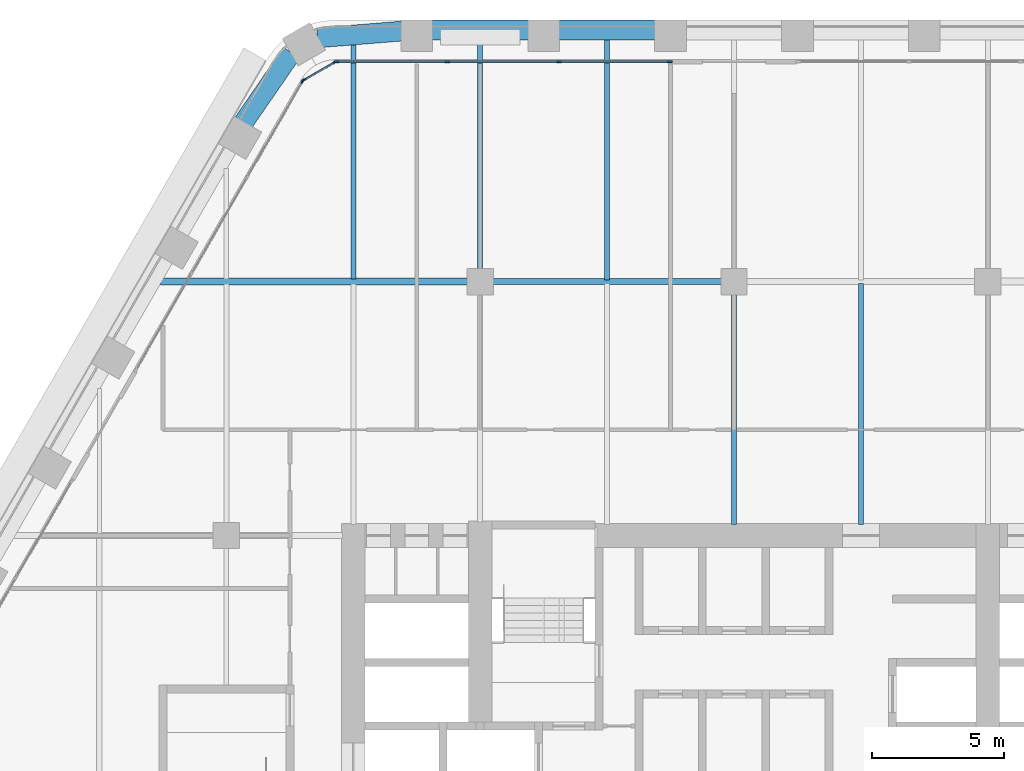
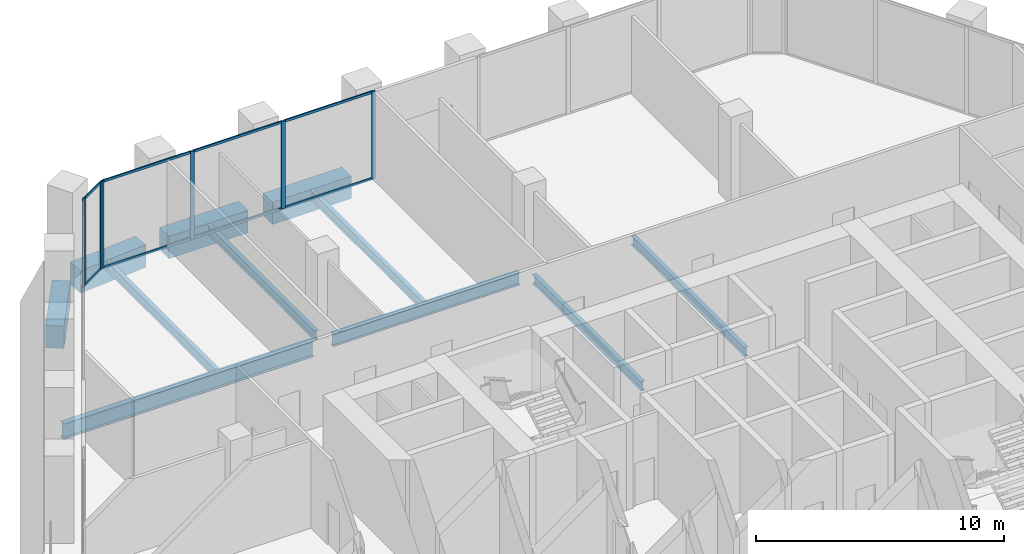
# One storey, part 7 of 22: 15 members, 11 beams, 3 elements without a shape of their own.
"""IFC4 building model written with IfcOpenShell, lengths in metres."""

from ifc_helpers import new_model, si_unit, direction, frame, origin, origin_2d, place, context, subcontext, project, spatial, rectangle, i_section, extrude, material, material_profile, profile_set, type_object, element, aggregate, save


model = new_model("IFC4")

# Units and contexts
model_context = context("Model", 3, precision=1e-05, world=origin(), true_north=direction((0.0, 1.0)))
body_context = subcontext(model_context, "Body", "Model", "MODEL_VIEW")
ifc_project = project(units=[si_unit("LENGTHUNIT", "METRE"), si_unit("AREAUNIT", "SQUARE_METRE"), si_unit("VOLUMEUNIT", "CUBIC_METRE"), si_unit("PLANEANGLEUNIT", "RADIAN"), si_unit("MASSUNIT", "GRAM", prefix="KILO")], contexts=[model_context])

# Site, building, storey
site_placement = place(None, origin())
site = spatial("IfcSite", under=ifc_project, at=site_placement, CompositionType="ELEMENT")
building_placement = place(site_placement, origin())
building = spatial("IfcBuilding", under=site, at=building_placement, Name="Kolab Exchange Tower", CompositionType="ELEMENT")
storey_placement = place(building_placement, frame((0.0, 0.0, 82.39990234375)))
storey = spatial("IfcBuildingStorey", under=building, at=storey_placement, Name="L15", CompositionType="ELEMENT", Elevation=82.39990234375)

# Beams
ifc_material_1 = material(Name="Steel S355", Category="steel")
ifc_material_profile_1 = material_profile(ifc_material_1, i_section(OverallWidth=0.18994140625, OverallDepth=0.45703125, WebThickness=0.009033203125, FlangeThickness=0.014404296875, at=origin_2d()), Name="W460X74")
ifc_profile_set_1 = profile_set([ifc_material_profile_1], Name="Steel S355")
beam_type_1 = type_object("IfcBeamType", Name="FLOOR BEAM W460X74", PredefinedType="BEAM", material=ifc_profile_set_1)
beam_1_placement = place(storey_placement, frame((-14.39990234375, 19.29345703125, -0.428466796875), z_axis=(0.0, 1.0, 0.0), x_axis=(-1.0, 0.0, 0.0)))
element("IfcBeam", 1, at=beam_1_placement, inside=storey, type_object=beam_type_1, Name="beam/L15/fr/015", PredefinedType="BEAM", context=body_context, shape_type="SweptSolid", body=[
    extrude(i_section(OverallWidth=0.18994140625, OverallDepth=0.45703125, WebThickness=0.009033203125, FlangeThickness=0.014404296875, at=origin_2d()), origin(), (0.0, 0.0, 1.0), 8.901123046875),
])
beam_2_placement = place(storey_placement, frame((-9.60009765625, 19.659912109375, -0.428466796875), z_axis=(0.0, 1.0, 0.0), x_axis=(-1.0, 0.0, 0.0)))
element("IfcBeam", 2, at=beam_2_placement, inside=storey, type_object=beam_type_1, Name="beam/L15/fr/019", PredefinedType="BEAM", context=body_context, shape_type="SweptSolid", body=[
    extrude(i_section(OverallWidth=0.18994140625, OverallDepth=0.45703125, WebThickness=0.009033203125, FlangeThickness=0.014404296875, at=origin_2d()), origin(), (0.0, 0.0, 1.0), 8.728515625),
])
beam_3_placement = place(storey_placement, frame((-4.800048828125, 19.27392578125, -0.428466796875), z_axis=(0.0, 1.0, 0.0), x_axis=(-1.0, 0.0, 0.0)))
element("IfcBeam", 3, at=beam_3_placement, inside=storey, type_object=beam_type_1, Name="beam/L15/fr/023", PredefinedType="BEAM", context=body_context, shape_type="SweptSolid", body=[
    extrude(i_section(OverallWidth=0.18994140625, OverallDepth=0.45703125, WebThickness=0.009033203125, FlangeThickness=0.014404296875, at=origin_2d()), origin(), (0.0, 0.0, 1.0), 9.114501953125),
])
beam_4_placement = place(storey_placement, frame((0.0, 10.010009765625, -0.428466796875), z_axis=(0.0, 1.0, 0.0), x_axis=(-1.0, 0.0, 0.0)))
element("IfcBeam", 4, at=beam_4_placement, inside=storey, type_object=beam_type_1, Name="beam/L15/fr/026", PredefinedType="BEAM", context=body_context, shape_type="SweptSolid", body=[
    extrude(i_section(OverallWidth=0.18994140625, OverallDepth=0.45703125, WebThickness=0.009033203125, FlangeThickness=0.014404296875, at=origin_2d()), origin(), (0.0, 0.0, 1.0), 8.72998046875),
])
beam_5_placement = place(storey_placement, frame((4.800048828125, 10.010009765625, -0.428466796875), z_axis=(0.0, 1.0, 0.0), x_axis=(-1.0, 0.0, 0.0)))
element("IfcBeam", 5, at=beam_5_placement, inside=storey, type_object=beam_type_1, Name="beam/L15/fr/030", PredefinedType="BEAM", context=body_context, shape_type="SweptSolid", body=[
    extrude(i_section(OverallWidth=0.18994140625, OverallDepth=0.45703125, WebThickness=0.009033203125, FlangeThickness=0.014404296875, at=origin_2d()), origin(), (0.0, 0.0, 1.0), 9.115966796875),
])
ifc_material_profile_2 = material_profile(ifc_material_1, i_section(OverallWidth=0.22802734375, OverallDepth=0.60791015625, WebThickness=0.01123046875, FlangeThickness=0.017333984375, at=origin_2d()), Name="W610X113")
ifc_profile_set_2 = profile_set([ifc_material_profile_2], Name="Steel S355")
beam_type_2 = type_object("IfcBeamType", Name="FLOOR GIRDER W610X113", PredefinedType="BEAM", material=ifc_profile_set_2)
beam_6_placement = place(storey_placement, frame((-9.139892578125, 19.199951171875, -0.50390625), z_axis=(1.0, 0.0, 0.0), x_axis=(0.0, 1.0, 0.0)))
element("IfcBeam", 6, at=beam_6_placement, inside=storey, type_object=beam_type_2, Name="beam/L15/gd/009", PredefinedType="BEAM", context=body_context, shape_type="SweptSolid", body=[
    extrude(i_section(OverallWidth=0.22802734375, OverallDepth=0.60791015625, WebThickness=0.01123046875, FlangeThickness=0.017333984375, at=origin_2d()), origin(), (0.0, 0.0, 1.0), 8.679931640625),
])
ifc_material_profile_3 = material_profile(ifc_material_1, i_section(OverallWidth=0.26708984375, OverallDepth=0.761962890625, WebThickness=0.014404296875, FlangeThickness=0.021484375, at=origin_2d()), Name="W760X173")
ifc_profile_set_3 = profile_set([ifc_material_profile_3], Name="Steel S355")
beam_type_3 = type_object("IfcBeamType", Name="FLOOR GIRDER W760X173", PredefinedType="BEAM", material=ifc_profile_set_3)
beam_7_placement = place(storey_placement, frame((-21.688720703125, 19.199951171875, -0.580810546875), z_axis=(1.0, 0.0, 0.0), x_axis=(0.0, 1.0, 0.0)))
element("IfcBeam", 7, at=beam_7_placement, inside=storey, type_object=beam_type_3, Name="beam/L15/gd/004", PredefinedType="BEAM", context=body_context, shape_type="SweptSolid", body=[
    extrude(i_section(OverallWidth=0.26708984375, OverallDepth=0.761962890625, WebThickness=0.014404296875, FlangeThickness=0.021484375, at=origin_2d()), origin(), (0.0, 0.0, 1.0), 11.628662109375),
])
ifc_material_2 = material(Name="Concrete C70/85", Category="concrete")
ifc_material_profile_4 = material_profile(ifc_material_2, rectangle(XDim=0.75, YDim=1.10009765625, at=origin_2d()), Name="RC750X1100")
ifc_profile_set_4 = profile_set([ifc_material_profile_4], Name="Concrete C70/85")
beam_type_4 = type_object("IfcBeamType", Name="SPANDREL BEAM 750X1100 C70/85", PredefinedType="BEAM", material=ifc_profile_set_4)
beam_8_placement = place(storey_placement, frame((-15.75830078125, 28.421630859375, -0.75), z_axis=(0.996791038408, 0.080047646748, 0.0), x_axis=(-0.080047646748, 0.996791038408, 0.0)))
element("IfcBeam", 8, at=beam_8_placement, inside=storey, type_object=beam_type_4, Name="beam/L15/sp/F1-01", PredefinedType="BEAM", context=body_context, shape_type="SweptSolid", body=[
    extrude(rectangle(XDim=0.75, YDim=1.10009765625, at=origin_2d()), origin(), (0.0, 0.0, 1.0), 3.20849609375),
])
for number, where, z_axis, x_axis, name in (
    (9, (-11.43994140625, 28.723388671875, -0.75), (1.0, 0.0, 0.0), (0.0, 1.0, 0.0), "beam/L15/sp/F1-02"),
    (10, (-6.639892578125, 28.723388671875, -0.75), (1.0, 0.0, 0.0), (0.0, 1.0, 0.0), "beam/L15/sp/F1-03"),
):
    element("IfcBeam", number, at=place(storey_placement, frame(where, z_axis=z_axis, x_axis=x_axis)), inside=storey, type_object=beam_type_4, Name=name, PredefinedType="BEAM", context=body_context, shape_type="SweptSolid", body=[
        extrude(rectangle(XDim=0.75, YDim=1.10009765625, at=origin_2d()), origin(), (0.0, 0.0, 1.0), 3.679931640625),
    ])
beam_9_placement = place(storey_placement, frame((-18.55615234375, 25.216552734375, -0.75), z_axis=(0.567661826262, 0.823261836237, 0.0), x_axis=(-0.823261836237, 0.567661826262, 0.0)))
element("IfcBeam", 11, at=beam_9_placement, inside=storey, type_object=beam_type_4, Name="beam/L15/sp/F6-07", PredefinedType="BEAM", context=body_context, shape_type="SweptSolid", body=[
    extrude(rectangle(XDim=0.75, YDim=1.10009765625, at=origin_2d()), origin(), (0.0, 0.0, 1.0), 3.20849609375),
])

# Curtain wall, members
ifc_material_3 = material(Name="Aluminium EN AW-6063 T6", Category="aluminium")
curtain_wall_type = type_object("IfcCurtainWallType", Name="UNITISED LOWER MID ZONE CURTAIN WALL", PredefinedType="NOTDEFINED", material=ifc_material_3)
curtain_wall_1_placement = place(storey_placement, origin())
curtain_wall_1 = element("IfcCurtainWall", 12, at=curtain_wall_1_placement, inside=storey, type_object=curtain_wall_type, Name="cw/L15/F1-1", PredefinedType="NOTDEFINED")
ifc_material_profile_5 = material_profile(ifc_material_3, rectangle(XDim=0.06005859375, YDim=0.179931640625, at=origin_2d()), Name="RECT 60X180")
ifc_profile_set_5 = profile_set([ifc_material_profile_5], Name="Aluminium EN AW-6063 T6")
member_type_1 = type_object("IfcMemberType", Name="UNITISED LOWER MID ZONE MULLION 60 X 180", PredefinedType="MULLION", material=ifc_profile_set_5)
member_1_placement = place(storey_placement, frame((-15.037841796875, 27.5185546875, 0.0), z_axis=(0.0, 0.0, 1.0), x_axis=(0.0, 1.0, 0.0)))
member_1 = element("IfcMember", 13, at=member_1_placement, type_object=member_type_1, Name="CW2 mullion 1", PredefinedType="MULLION", context=body_context, shape_type="SweptSolid", body=[
    extrude(rectangle(XDim=0.06005859375, YDim=0.179931640625, at=origin_2d()), origin(), (0.0, 0.0, 1.0), 4.300048828125),
])
member_2_placement = place(storey_placement, frame((-10.84521484375, 27.5185546875, 0.0), z_axis=(0.0, 0.0, 1.0), x_axis=(0.0, 1.0, 0.0)))
member_2 = element("IfcMember", 14, at=member_2_placement, type_object=member_type_1, Name="CW2 mullion 2", PredefinedType="MULLION", context=body_context, shape_type="SweptSolid", body=[
    extrude(rectangle(XDim=0.06005859375, YDim=0.179931640625, at=origin_2d()), origin(), (0.0, 0.0, 1.0), 4.300048828125),
])
member_3_placement = place(storey_placement, frame((-6.62255859375, 27.5185546875, 0.0), z_axis=(0.0, 0.0, 1.0), x_axis=(0.0, 1.0, 0.0)))
member_3 = element("IfcMember", 15, at=member_3_placement, type_object=member_type_1, Name="CW2 mullion 3", PredefinedType="MULLION", context=body_context, shape_type="SweptSolid", body=[
    extrude(rectangle(XDim=0.06005859375, YDim=0.179931640625, at=origin_2d()), origin(), (0.0, 0.0, 1.0), 4.300048828125),
])
member_4_placement = place(storey_placement, frame((-2.429931640625, 27.5185546875, 0.0), z_axis=(0.0, 0.0, 1.0), x_axis=(0.0, 1.0, 0.0)))
member_4 = element("IfcMember", 16, at=member_4_placement, type_object=member_type_1, Name="CW2 mullion 4", PredefinedType="MULLION", context=body_context, shape_type="SweptSolid", body=[
    extrude(rectangle(XDim=0.06005859375, YDim=0.179931640625, at=origin_2d()), origin(), (0.0, 0.0, 1.0), 4.300048828125),
])

# Curtain wall, member
curtain_wall_2_placement = place(storey_placement, origin())
curtain_wall_2 = element("IfcCurtainWall", 17, at=curtain_wall_2_placement, inside=storey, type_object=curtain_wall_type, Name="cw/L15/F6-2", PredefinedType="NOTDEFINED")
member_5_placement = place(storey_placement, frame((-16.312744140625, 26.782470703125, 0.0), z_axis=(0.0, 0.0, 1.0), x_axis=(-0.866025393644, 0.500000017564, 0.0)))
member_5 = element("IfcMember", 18, at=member_5_placement, type_object=member_type_1, Name="CW2 mullion 4", PredefinedType="MULLION", context=body_context, shape_type="SweptSolid", body=[
    extrude(rectangle(XDim=0.06005859375, YDim=0.179931640625, at=origin_2d()), origin(), (0.0, 0.0, 1.0), 4.300048828125),
])
aggregate(curtain_wall_2, [member_5])

# Curtain wall, members
curtain_wall_3_placement = place(storey_placement, origin())
curtain_wall_3 = element("IfcCurtainWall", 19, at=curtain_wall_3_placement, inside=storey, type_object=curtain_wall_type, Name="cw/L15/F6F1-corner", PredefinedType="NOTDEFINED")
member_6_placement = place(storey_placement, frame((-16.271728515625, 26.823486328125, 0.0), z_axis=(0.0, 0.0, 1.0), x_axis=(-0.50000002237, 0.866025390869, 0.0)))
member_6 = element("IfcMember", 20, at=member_6_placement, type_object=member_type_1, Name="CW2 mullion 1", PredefinedType="MULLION", context=body_context, shape_type="SweptSolid", body=[
    extrude(rectangle(XDim=0.06005859375, YDim=0.179931640625, at=origin_2d()), origin(), (0.0, 0.0, 1.0), 4.300048828125),
])
member_7_placement = place(storey_placement, frame((-15.093994140625, 27.50341796875, 0.0), z_axis=(0.0, 0.0, 1.0), x_axis=(-0.50000002237, 0.866025390869, 0.0)))
member_7 = element("IfcMember", 21, at=member_7_placement, type_object=member_type_1, Name="CW2 mullion 2", PredefinedType="MULLION", context=body_context, shape_type="SweptSolid", body=[
    extrude(rectangle(XDim=0.06005859375, YDim=0.179931640625, at=origin_2d()), origin(), (0.0, 0.0, 1.0), 4.300048828125),
])

# Member
ifc_material_profile_6 = material_profile(ifc_material_3, rectangle(XDim=0.06005859375, YDim=0.1201171875, at=origin_2d()), Name="RECT 60X120")
ifc_profile_set_6 = profile_set([ifc_material_profile_6], Name="Aluminium EN AW-6063 T6")
member_type_2 = type_object("IfcMemberType", Name="UNITISED LOWER MID ZONE TRANSOM 60 X 120", PredefinedType="USERDEFINED", material=ifc_profile_set_6)
member_8_placement = place(storey_placement, frame((-15.008056640625, 27.5185546875, 0.030029296875), z_axis=(1.0, 0.0, 0.0), x_axis=(0.0, 1.0, 0.0)))
member_8 = element("IfcMember", 22, at=member_8_placement, type_object=member_type_2, Name="CW2 transom 1.1", ObjectType="TRANSOM", PredefinedType="USERDEFINED", context=body_context, shape_type="SweptSolid", body=[
    extrude(rectangle(XDim=0.06005859375, YDim=0.1201171875, at=origin_2d()), origin(), (0.0, 0.0, 1.0), 4.1328125),
])

member_9_placement = place(storey_placement, frame((-15.008056640625, 27.5185546875, 4.27001953125), z_axis=(1.0, 0.0, 0.0), x_axis=(0.0, 1.0, 0.0)))
member_9 = element("IfcMember", 23, at=member_9_placement, type_object=member_type_2, Name="CW2 transom 1.2", ObjectType="TRANSOM", PredefinedType="USERDEFINED", context=body_context, shape_type="SweptSolid", body=[
    extrude(rectangle(XDim=0.06005859375, YDim=0.1201171875, at=origin_2d()), origin(), (0.0, 0.0, 1.0), 4.1328125),
])

member_10_placement = place(storey_placement, frame((-10.815185546875, 27.5185546875, 0.030029296875), z_axis=(1.0, 0.0, 0.0), x_axis=(0.0, 1.0, 0.0)))
member_10 = element("IfcMember", 24, at=member_10_placement, type_object=member_type_2, Name="CW2 transom 2.1", ObjectType="TRANSOM", PredefinedType="USERDEFINED", context=body_context, shape_type="SweptSolid", body=[
    extrude(rectangle(XDim=0.06005859375, YDim=0.1201171875, at=origin_2d()), origin(), (0.0, 0.0, 1.0), 4.16259765625),
])

member_11_placement = place(storey_placement, frame((-10.815185546875, 27.5185546875, 4.27001953125), z_axis=(1.0, 0.0, 0.0), x_axis=(0.0, 1.0, 0.0)))
member_11 = element("IfcMember", 25, at=member_11_placement, type_object=member_type_2, Name="CW2 transom 2.2", ObjectType="TRANSOM", PredefinedType="USERDEFINED", context=body_context, shape_type="SweptSolid", body=[
    extrude(rectangle(XDim=0.06005859375, YDim=0.1201171875, at=origin_2d()), origin(), (0.0, 0.0, 1.0), 4.16259765625),
])

member_12_placement = place(storey_placement, frame((-6.592529296875, 27.5185546875, 0.030029296875), z_axis=(1.0, 0.0, 0.0), x_axis=(0.0, 1.0, 0.0)))
member_12 = element("IfcMember", 26, at=member_12_placement, type_object=member_type_2, Name="CW2 transom 3.1", ObjectType="TRANSOM", PredefinedType="USERDEFINED", context=body_context, shape_type="SweptSolid", body=[
    extrude(rectangle(XDim=0.06005859375, YDim=0.1201171875, at=origin_2d()), origin(), (0.0, 0.0, 1.0), 4.132568359375),
])

member_13_placement = place(storey_placement, frame((-6.592529296875, 27.5185546875, 4.27001953125), z_axis=(1.0, 0.0, 0.0), x_axis=(0.0, 1.0, 0.0)))
member_13 = element("IfcMember", 27, at=member_13_placement, type_object=member_type_2, Name="CW2 transom 3.2", ObjectType="TRANSOM", PredefinedType="USERDEFINED", context=body_context, shape_type="SweptSolid", body=[
    extrude(rectangle(XDim=0.06005859375, YDim=0.1201171875, at=origin_2d()), origin(), (0.0, 0.0, 1.0), 4.132568359375),
])

aggregate(curtain_wall_1, [member_1, member_2, member_3, member_4, member_8, member_9, member_10, member_11, member_12, member_13])

member_14_placement = place(storey_placement, frame((-16.245849609375, 26.83837890625, 0.030029296875), z_axis=(0.866004217611, 0.500036693733, 0.0), x_axis=(-0.500036693733, 0.866004217611, 0.0)))
member_14 = element("IfcMember", 28, at=member_14_placement, type_object=member_type_2, Name="CW2 transom 1.1", ObjectType="TRANSOM", PredefinedType="USERDEFINED", context=body_context, shape_type="SweptSolid", body=[
    extrude(rectangle(XDim=0.06005859375, YDim=0.1201171875, at=origin_2d()), origin(), (0.0, 0.0, 1.0), 1.30029296875),
])

member_15_placement = place(storey_placement, frame((-16.245849609375, 26.83837890625, 4.27001953125), z_axis=(0.866004217611, 0.500036693733, 0.0), x_axis=(-0.500036693733, 0.866004217611, 0.0)))
member_15 = element("IfcMember", 29, at=member_15_placement, type_object=member_type_2, Name="CW2 transom 1.2", ObjectType="TRANSOM", PredefinedType="USERDEFINED", context=body_context, shape_type="SweptSolid", body=[
    extrude(rectangle(XDim=0.06005859375, YDim=0.1201171875, at=origin_2d()), origin(), (0.0, 0.0, 1.0), 1.30029296875),
])

aggregate(curtain_wall_3, [member_6, member_7, member_14, member_15])

save(model, "model.ifc")
